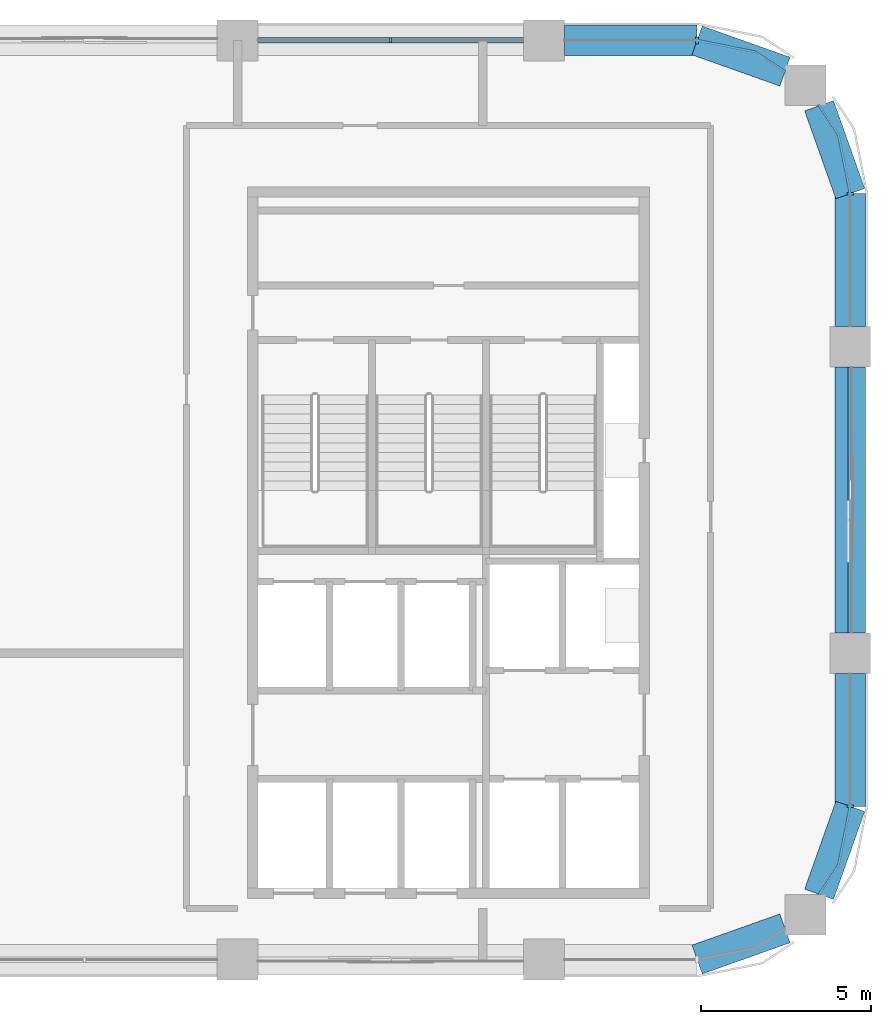
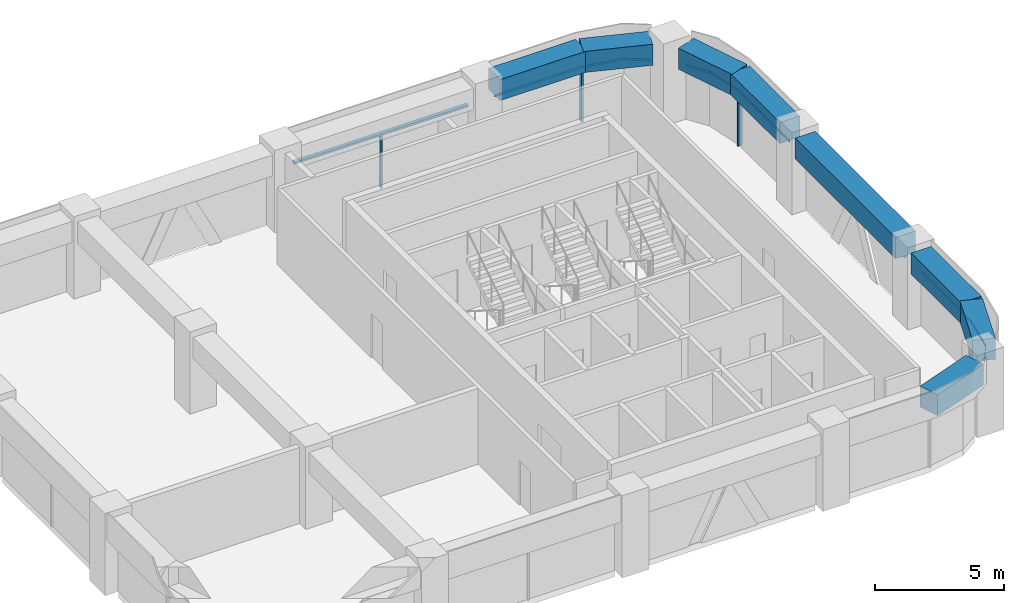
# One storey, part 4 of 9: 9 members, 8 beams, 5 elements without a shape of their own.
"""IFC4 building model written with IfcOpenShell, lengths in metres."""

import ifcopenshell
import ifcopenshell.guid

model = None  # the IFC model being written
_history = None  # IfcOwnerHistory: only IFC2X3 demands one
_inside = {}  # id of a spatial element -> (the spatial element, [elements in it])
_under = {}  # id of a project, library or spatial element -> (it, [spatial elements below it])
_declared = {}  # id of a project -> (the project, [libraries it declares])
_typed = {}  # id of a type object -> (the type object, [elements of that type])
_made_of = {}  # id of a material, layer set ... -> (it, [elements and type objects made of it])


def new_model(schema):
    """Start an empty IFC model of exactly this schema.

    Asked for "IFC4X3", IfcOpenShell would pick the latest addendum, in which some entities
    have other attributes; the version numbers below select the first issue.
    IFC2X3 requires an IfcOwnerHistory on every rooted entity: one is made here for all.
    """
    global model, _history
    if schema == "IFC4X3":
        model = ifcopenshell.file(schema_version=(4, 3, 0, 0))
    else:
        model = ifcopenshell.file(schema=schema)
    _inside.clear()
    _under.clear()
    _declared.clear()
    _typed.clear()
    _made_of.clear()
    _history = None
    if model.schema == "IFC2X3":
        org = make("IfcOrganization", Name="unknown")
        user = make(
            "IfcPersonAndOrganization",
            ThePerson=make("IfcPerson", FamilyName="unknown"),
            TheOrganization=org,
        )
        app = make(
            "IfcApplication",
            ApplicationDeveloper=org,
            Version="unknown",
            ApplicationFullName="unknown",
            ApplicationIdentifier="unknown",
        )
        _history = make(
            "IfcOwnerHistory",
            OwningUser=user,
            OwningApplication=app,
            ChangeAction="ADDED",
            CreationDate=0,
        )
    return model


def make(cls, **values):
    """One entity of the class cls with the attributes given. An attribute that is None is left unset."""
    return model.create_entity(
        cls, **{name: value for name, value in values.items() if value is not None}
    )


def rooted(cls, **values):
    """An entity with a GlobalId (a new one), such as an element, a storey or a relation."""
    return make(cls, GlobalId=ifcopenshell.guid.new(), OwnerHistory=_history, **values)


def si_unit(unit_type, name, prefix=None):
    """IfcSIUnit, for example si_unit("LENGTHUNIT", "METRE", prefix="MILLI")."""
    return make("IfcSIUnit", UnitType=unit_type, Prefix=prefix, Name=name)


def assignment(units):
    """IfcUnitAssignment: the units of a project."""
    return None if units is None else make("IfcUnitAssignment", Units=units)


def point(xyz):
    """IfcCartesianPoint."""
    return None if xyz is None else make("IfcCartesianPoint", Coordinates=xyz)


def direction(xyz):
    """IfcDirection."""
    return None if xyz is None else make("IfcDirection", DirectionRatios=xyz)


def frame(location, z_axis=None, x_axis=None):
    """IfcAxis2Placement3D, a coordinate frame: its origin and axes. An axis left out is left unset."""
    return make(
        "IfcAxis2Placement3D",
        Location=point(location),
        Axis=direction(z_axis),
        RefDirection=direction(x_axis),
    )


def frame_2d(location, x_axis=None):
    """IfcAxis2Placement2D, a coordinate frame in the plane: its origin and x axis."""
    return make(
        "IfcAxis2Placement2D", Location=point(location), RefDirection=direction(x_axis)
    )


def origin():
    """The frame at (0, 0, 0) with its axes left unset."""
    return frame((0.0, 0.0, 0.0))


def origin_2d():
    """The frame at (0, 0) in the plane with its x axis left unset."""
    return frame_2d((0.0, 0.0))


def place(relative_to, where):
    """IfcLocalPlacement: puts the frame where relative to a parent placement (None: the world)."""
    return make(
        "IfcLocalPlacement", PlacementRelTo=relative_to, RelativePlacement=where
    )


def context(
    kind, dimensions, precision=None, world=None, true_north=None, identifier=None
):
    """IfcGeometricRepresentationContext, for example the 3D "Model" context."""
    return make(
        "IfcGeometricRepresentationContext",
        ContextIdentifier=identifier,
        ContextType=kind,
        CoordinateSpaceDimension=dimensions,
        Precision=precision,
        WorldCoordinateSystem=world,
        TrueNorth=true_north,
    )


def subcontext(parent, identifier, kind, view, scale=None):
    """IfcGeometricRepresentationSubContext, for example "Body" below "Model"."""
    return make(
        "IfcGeometricRepresentationSubContext",
        ContextIdentifier=identifier,
        ContextType=kind,
        ParentContext=parent,
        TargetScale=scale,
        TargetView=view,
    )


def project(units=None, contexts=None):
    """IfcProject with its units and contexts."""
    return rooted(
        "IfcProject",
        Name="project",
        RepresentationContexts=contexts,
        UnitsInContext=assignment(units),
    )


def spatial(cls, under=None, at=None, **own):
    """A site, building, storey or space (cls), placed at a placement, below another one or the project."""
    s = rooted(cls, ObjectPlacement=at, **own)
    if under is not None:
        _under.setdefault(under.id(), (under, []))[1].append(s)
    return s


def polyline(points):
    """IfcPolyline through the points."""
    return make("IfcPolyline", Points=[point(p) for p in points])


def profile(cls, at=None, kind="AREA", **sizes):
    """A parametric profile (cls). Its sizes go by their IFC names, for example OverallWidth=200.0."""
    return make(cls, ProfileType=kind, Position=at, **sizes)


def rectangle(**sizes):
    """IfcRectangleProfileDef."""
    return profile("IfcRectangleProfileDef", **sizes)


def outline(outer, holes=None, kind="AREA"):
    """IfcArbitraryClosedProfileDef: a profile drawn as a closed curve; with holes, ...WithVoids."""
    if holes is None:
        return make("IfcArbitraryClosedProfileDef", ProfileType=kind, OuterCurve=outer)
    return make(
        "IfcArbitraryProfileDefWithVoids",
        ProfileType=kind,
        OuterCurve=outer,
        InnerCurves=holes,
    )


def extrude(swept, where, along, depth):
    """IfcExtrudedAreaSolid: the profile swept, set in the frame where, extruded along a direction by depth."""
    return make(
        "IfcExtrudedAreaSolid",
        SweptArea=swept,
        Position=where,
        ExtrudedDirection=direction(along),
        Depth=depth,
    )


def shape(context_of_items, identifier, shape_type, items):
    """IfcShapeRepresentation: the items that make up one representation, for example the "Body"."""
    return make(
        "IfcShapeRepresentation",
        ContextOfItems=context_of_items,
        RepresentationIdentifier=identifier,
        RepresentationType=shape_type,
        Items=items,
    )


def material(Name=None, Category=None):
    """IfcMaterial."""
    return make("IfcMaterial", Name=Name, Category=Category)


def material_profile(
    of_material, cross_section, Name=None, Category=None, Priority=None
):
    """IfcMaterialProfile: a cross section and its material."""
    return make(
        "IfcMaterialProfile",
        Name=Name,
        Material=of_material,
        Profile=cross_section,
        Priority=Priority,
        Category=Category,
    )


def profile_set(profiles, Name=None, composite=None):
    """IfcMaterialProfileSet."""
    return make(
        "IfcMaterialProfileSet",
        Name=Name,
        MaterialProfiles=profiles,
        CompositeProfile=composite,
    )


def made_of(thing, what):
    """Note that an element or type object is made of a material, layer set ...; save() writes the relation."""
    if what is not None:
        _made_of.setdefault(what.id(), (what, []))[1].append(thing)
    return thing


def type_object(cls, material=None, **own):
    """A type object (cls), such as IfcWallType, which elements share."""
    return made_of(rooted(cls, **own), material)


def element(
    cls,
    number,
    at=None,
    inside=None,
    cuts=None,
    type_object=None,
    material=None,
    context=None,
    identifier="Body",
    shape_type=None,
    held_by="IfcProductDefinitionShape",
    body=None,
    shapes=None,
    **own,
):
    """One element of the class cls, such as IfcWall. Its Tag is "e" and its number.

    at: its placement. inside: the storey or other place that contains it. cuts: it is an
    opening in that element (IfcRelVoidsElement). A single representation is given by context,
    identifier, shape_type and body (its items); several are given by shapes. held_by: the class
    of the entity that holds the representations. save() writes the other relations.
    """
    e = rooted(cls, Tag="e%d" % number, ObjectPlacement=at, **own)
    if body is not None:
        shapes = [shape(context, identifier, shape_type, body)]
    if shapes is not None:
        e.Representation = make(held_by, Representations=shapes)
    if inside is not None:
        _inside.setdefault(inside.id(), (inside, []))[1].append(e)
    if cuts is not None:
        rooted(
            "IfcRelVoidsElement", RelatingBuildingElement=cuts, RelatedOpeningElement=e
        )
    if type_object is not None:
        _typed.setdefault(type_object.id(), (type_object, []))[1].append(e)
    return made_of(e, material)


def aggregate(whole, parts):
    """IfcRelAggregates: a whole, such as a stair, and the parts it consists of."""
    return rooted("IfcRelAggregates", RelatingObject=whole, RelatedObjects=parts)


def save(model, path):
    """Write the relations noted so far, then the file.

    IfcRelAggregates (storeys below a building ...), IfcRelContainedInSpatialStructure (elements
    in a storey), IfcRelDefinesByType, IfcRelAssociatesMaterial and IfcRelDeclares: one each for
    every whole, place, type object, material and project.
    """
    for whole, parts in _under.values():
        aggregate(whole, parts)
    for where, things in _inside.values():
        rooted(
            "IfcRelContainedInSpatialStructure",
            RelatedElements=things,
            RelatingStructure=where,
        )
    for kind, things in _typed.values():
        rooted("IfcRelDefinesByType", RelatedObjects=things, RelatingType=kind)
    for what, things in _made_of.values():
        rooted("IfcRelAssociatesMaterial", RelatedObjects=things, RelatingMaterial=what)
    for by, libraries in _declared.values():
        rooted("IfcRelDeclares", RelatingContext=by, RelatedDefinitions=libraries)
    model.write(path)


model = new_model("IFC4")

# Units and contexts
model_context = context("Model", 3, precision=1e-05, world=origin(), true_north=direction((0.0, 1.0)))
body_context = subcontext(model_context, "Body", "Model", "MODEL_VIEW")
ifc_project = project(units=[si_unit("LENGTHUNIT", "METRE"), si_unit("AREAUNIT", "SQUARE_METRE"), si_unit("VOLUMEUNIT", "CUBIC_METRE"), si_unit("PLANEANGLEUNIT", "RADIAN"), si_unit("MASSUNIT", "GRAM", prefix="KILO")], contexts=[model_context])

# Site, building, storey
site_placement = place(None, origin())
site = spatial("IfcSite", under=ifc_project, at=site_placement, CompositionType="ELEMENT")
building_placement = place(site_placement, origin())
building = spatial("IfcBuilding", under=site, at=building_placement, Name="Tessera Arch", CompositionType="ELEMENT")
storey_placement = place(building_placement, frame((0.0, 0.0, 305.10009765625)))
storey = spatial("IfcBuildingStorey", under=building, at=storey_placement, Name="L73", CompositionType="ELEMENT", Elevation=305.10009765625)

# Curtain wall, members
ifc_material_1 = material(Name="CW1 curtain wall")
curtain_wall_type_1 = type_object("IfcCurtainWallType", Name="CW1 curtain wall", PredefinedType="NOTDEFINED", material=ifc_material_1)
curtain_wall_1_placement = place(storey_placement, origin())
curtain_wall_1 = element("IfcCurtainWall", 1, at=curtain_wall_1_placement, inside=storey, type_object=curtain_wall_type_1, Name="CW1 curtain wall N54.18/1 L73", PredefinedType="NOTDEFINED")
ifc_material_2 = material(Name="Anodised aluminium pale metal", Category="aluminium")
ifc_material_profile_1 = material_profile(ifc_material_2, rectangle(XDim=0.159912109375, YDim=0.06005859375, at=origin_2d()), Name="AL 60x160")
ifc_profile_set_1 = profile_set([ifc_material_profile_1], Name="Anodised aluminium pale metal")
member_type_1 = type_object("IfcMemberType", Name="CW1 mullion", PredefinedType="MULLION", material=ifc_profile_set_1)
member_1_placement = place(storey_placement, frame((40.5, 54.0, 0.0), z_axis=(0.0, 0.0, 1.0), x_axis=(0.0, -1.0, 0.0)))
member_1 = element("IfcMember", 2, at=member_1_placement, type_object=member_type_1, Name="CW1 mullion N54.18/1 1", PredefinedType="MULLION", context=body_context, shape_type="SweptSolid", body=[
    extrude(rectangle(XDim=0.159912109375, YDim=0.06005859375, at=origin_2d()), origin(), (0.0, 0.0, 1.0), 2.5),
])
ifc_material_3 = material(Name="Anodised aluminium pale metal", Category="aluminium")
ifc_material_profile_2 = material_profile(ifc_material_3, rectangle(XDim=0.159912109375, YDim=0.10009765625, at=origin_2d()), Name="AL 160x100")
ifc_profile_set_2 = profile_set([ifc_material_profile_2], Name="Anodised aluminium pale metal")
member_type_2 = type_object("IfcMemberType", Name="CW1 transom", PredefinedType="USERDEFINED", material=ifc_profile_set_2)
member_2_placement = place(storey_placement, frame((44.39990234375, 54.0, 2.5498046875), z_axis=(-1.0, 0.0, 0.0), x_axis=(0.0, -1.0, 0.0)))
member_2 = element("IfcMember", 3, at=member_2_placement, type_object=member_type_2, Name="CW1 transom N54.18/1 1.1", ObjectType="TRANSOM", PredefinedType="USERDEFINED", context=body_context, shape_type="SweptSolid", body=[
    extrude(rectangle(XDim=0.159912109375, YDim=0.10009765625, at=origin_2d()), origin(), (0.0, 0.0, 1.0), 7.7998046875),
])
aggregate(curtain_wall_1, [member_1, member_2])

# Curtain wall, member
ifc_material_4 = material(Name="CW2 curtain wall")
curtain_wall_type_2 = type_object("IfcCurtainWallType", Name="CW2 curtain wall", PredefinedType="NOTDEFINED", material=ifc_material_4)
curtain_wall_2_placement = place(storey_placement, origin())
curtain_wall_2 = element("IfcCurtainWall", 4, at=curtain_wall_2_placement, inside=storey, type_object=curtain_wall_type_2, Name="CW2 curtain wall E54.27/1 L73", PredefinedType="NOTDEFINED")
ifc_material_5 = material(Name="Anodised aluminium pale metal", Category="aluminium")
ifc_material_profile_3 = material_profile(ifc_material_5, rectangle(XDim=0.199951171875, YDim=0.080078125, at=origin_2d()), Name="AL 80x200")
ifc_profile_set_3 = profile_set([ifc_material_profile_3], Name="Anodised aluminium pale metal")
member_type_3 = type_object("IfcMemberType", Name="CW2 mullion", PredefinedType="MULLION", material=ifc_profile_set_3)
member_3_placement = place(storey_placement, frame((54.0, 49.5, 0.0), z_axis=(0.0, 0.0, 1.0), x_axis=(-1.0, 0.0, 0.0)))
member_3 = element("IfcMember", 5, at=member_3_placement, type_object=member_type_3, Name="CW2 mullion E54.27/1 1", PredefinedType="MULLION", context=body_context, shape_type="SweptSolid", body=[
    extrude(rectangle(XDim=0.199951171875, YDim=0.080078125, at=origin_2d()), origin(), (0.0, 0.0, 1.0), 2.5),
])

curtain_wall_3_placement = place(storey_placement, origin())
curtain_wall_3 = element("IfcCurtainWall", 6, at=curtain_wall_3_placement, inside=storey, type_object=curtain_wall_type_2, Name="CW2 curtain wall N54.18/0 L73", PredefinedType="NOTDEFINED")
member_4_placement = place(storey_placement, frame((49.5, 54.0, 0.0), z_axis=(0.0, 0.0, 1.0), x_axis=(0.0, -1.0, 0.0)))
member_4 = element("IfcMember", 7, at=member_4_placement, type_object=member_type_3, Name="CW2 mullion N54.18/0 1", PredefinedType="MULLION", context=body_context, shape_type="SweptSolid", body=[
    extrude(rectangle(XDim=0.199951171875, YDim=0.080078125, at=origin_2d()), origin(), (0.0, 0.0, 1.0), 2.5),
])

curtain_wall_4_placement = place(storey_placement, origin())
curtain_wall_4 = element("IfcCurtainWall", 8, at=curtain_wall_4_placement, inside=storey, type_object=curtain_wall_type_2, Name="CW2 curtain wall E54.27/2 L73", PredefinedType="NOTDEFINED")
member_5_placement = place(storey_placement, frame((54.0, 31.5, 0.0), z_axis=(0.0, 0.0, 1.0), x_axis=(-1.0, 0.0, 0.0)))
member_5 = element("IfcMember", 9, at=member_5_placement, type_object=member_type_3, Name="CW2 mullion E54.27/2 1", PredefinedType="MULLION", context=body_context, shape_type="SweptSolid", body=[
    extrude(rectangle(XDim=0.199951171875, YDim=0.080078125, at=origin_2d()), origin(), (0.0, 0.0, 1.0), 2.5),
])

# Member
ifc_material_6 = material(Name="Anodised aluminium pale metal", Category="aluminium")
ifc_material_profile_4 = material_profile(ifc_material_6, rectangle(XDim=0.199951171875, YDim=0.10009765625, at=origin_2d()), Name="AL 200x100")
ifc_profile_set_4 = profile_set([ifc_material_profile_4], Name="Anodised aluminium pale metal")
member_type_4 = type_object("IfcMemberType", Name="CW2 transom", PredefinedType="USERDEFINED", material=ifc_profile_set_4)
member_6_placement = place(storey_placement, frame((0.0, 0.0, 2.5)))
member_6 = element("IfcMember", 10, at=member_6_placement, type_object=member_type_4, Name="CW2 transom E54.27/1 1", ObjectType="TRANSOM", PredefinedType="USERDEFINED", context=body_context, shape_type="SweptSolid", body=[
    extrude(outline(polyline([(53.989990234375, 49.4990234375), (53.989990234375, 45.60009765625), (54.010009765625, 45.60009765625), (54.010009765625, 49.5009765625), (53.6669921875, 51.22607421875), (53.09130859375, 52.087646484375), (53.07470703125, 52.076416015625), (53.648193359375, 51.21826171875), (53.989990234375, 49.4990234375)])), origin(), (0.0, 0.0, 1.0), 0.099853515625),
])

aggregate(curtain_wall_2, [member_3, member_6])

member_7_placement = place(storey_placement, frame((0.0, 0.0, 2.5)))
member_7 = element("IfcMember", 11, at=member_7_placement, type_object=member_type_4, Name="CW2 transom N54.18/0 1", ObjectType="TRANSOM", PredefinedType="USERDEFINED", context=body_context, shape_type="SweptSolid", body=[
    extrude(outline(polyline([(51.21826171875, 53.648193359375), (52.076416015625, 53.07470703125), (52.087646484375, 53.09130859375), (51.22607421875, 53.6669921875), (49.5009765625, 54.010009765625), (45.60009765625, 54.010009765625), (45.60009765625, 53.989990234375), (49.4990234375, 53.989990234375), (51.21826171875, 53.648193359375)])), origin(), (0.0, 0.0, 1.0), 0.099853515625),
])

aggregate(curtain_wall_3, [member_4, member_7])

member_8_placement = place(storey_placement, frame((0.0, 0.0, 2.5)))
member_8 = element("IfcMember", 12, at=member_8_placement, type_object=member_type_4, Name="CW2 transom E54.27/2 1", ObjectType="TRANSOM", PredefinedType="USERDEFINED", context=body_context, shape_type="SweptSolid", body=[
    extrude(outline(polyline([(53.648193359375, 29.78173828125), (53.07470703125, 28.923583984375), (53.09130859375, 28.912353515625), (53.6669921875, 29.77392578125), (54.010009765625, 31.4990234375), (54.010009765625, 35.39990234375), (53.989990234375, 35.39990234375), (53.989990234375, 31.5009765625), (53.648193359375, 29.78173828125)])), origin(), (0.0, 0.0, 1.0), 0.099853515625),
])

aggregate(curtain_wall_4, [member_5, member_8])

# Curtain wall, member
ifc_material_7 = material(Name="CW3 curtain wall")
curtain_wall_type_3 = type_object("IfcCurtainWallType", Name="CW3 curtain wall", PredefinedType="NOTDEFINED", material=ifc_material_7)
curtain_wall_5_placement = place(storey_placement, origin())
curtain_wall_5 = element("IfcCurtainWall", 13, at=curtain_wall_5_placement, inside=storey, type_object=curtain_wall_type_3, Name="CW3 curtain wall E54.27/0 L73", PredefinedType="NOTDEFINED")
ifc_material_8 = material(Name="Anodised aluminium pale metal", Category="aluminium")
ifc_material_profile_5 = material_profile(ifc_material_8, rectangle(XDim=0.139892578125, YDim=0.10009765625, at=origin_2d()), Name="AL 140x100")
ifc_profile_set_5 = profile_set([ifc_material_profile_5], Name="Anodised aluminium pale metal")
member_type_5 = type_object("IfcMemberType", Name="CW3 transom", PredefinedType="USERDEFINED", material=ifc_profile_set_5)
member_9_placement = place(storey_placement, frame((54.0, 36.60009765625, 2.5498046875), z_axis=(0.0, 1.0, 0.0), x_axis=(-1.0, 0.0, 0.0)))
member_9 = element("IfcMember", 14, at=member_9_placement, type_object=member_type_5, Name="CW3 transom E54.27/0 1.1", ObjectType="TRANSOM", PredefinedType="USERDEFINED", context=body_context, shape_type="SweptSolid", body=[
    extrude(rectangle(XDim=0.139892578125, YDim=0.10009765625, at=origin_2d()), origin(), (0.0, 0.0, 1.0), 7.7998046875),
])
aggregate(curtain_wall_5, [member_9])

# Beams
ifc_material_9 = material(Name="Concrete C60/75", Category="concrete")
ifc_material_profile_6 = material_profile(ifc_material_9, rectangle(XDim=0.89990234375, YDim=1.0, at=origin_2d()), Name="RC spandrel beam 900 x 1000 Concrete C60/75")
ifc_profile_set_6 = profile_set([ifc_material_profile_6], Name="Concrete C60/75")
beam_type = type_object("IfcBeamType", Name="RC spandrel beam 900 x 1000 Concrete C60/75", PredefinedType="BEAM", material=ifc_profile_set_6)
beam_1_placement = place(storey_placement, frame((54.0, 36.60009765625, 3.099853515625), z_axis=(0.0, 1.0, 0.0), x_axis=(-1.0, 0.0, 0.0)))
element("IfcBeam", 15, at=beam_1_placement, inside=storey, type_object=beam_type, Name="Spandrel beam L73 E54.27/0", PredefinedType="BEAM", context=body_context, shape_type="SweptSolid", body=[
    extrude(rectangle(XDim=0.89990234375, YDim=1.0, at=origin_2d()), origin(), (0.0, 0.0, 1.0), 7.7998046875),
])
beam_2_placement = place(storey_placement, frame((54.0, 45.60009765625, 3.099853515625), z_axis=(0.0, 1.0, 0.0), x_axis=(-1.0, 0.0, 0.0)))
element("IfcBeam", 16, at=beam_2_placement, inside=storey, type_object=beam_type, Name="Spandrel beam L73 E54.27/1.1", PredefinedType="BEAM", context=body_context, shape_type="SweptSolid", body=[
    extrude(rectangle(XDim=0.89990234375, YDim=1.0, at=origin_2d()), origin(), (0.0, 0.0, 1.0), 3.89990234375),
])
for number, where, z_axis, x_axis, name in (
    (17, (54.0, 49.5, 3.099853515625), (-0.334665114373, 0.942337127159, 0.0), (-0.942337127159, -0.334665114373, 0.0), "Spandrel beam L73 E54.27/1.2"),
    (18, (52.08203125, 53.0830078125, 3.099853515625), (-0.942337127159, 0.334665114373, 0.0), (-0.334665114373, -0.942337127159, 0.0), "Spandrel beam L73 N54.18/0.1"),
):
    element("IfcBeam", number, at=place(storey_placement, frame(where, z_axis=z_axis, x_axis=x_axis)), inside=storey, type_object=beam_type, Name=name, PredefinedType="BEAM", context=body_context, shape_type="SweptSolid", body=[
        extrude(rectangle(XDim=0.89990234375, YDim=1.0, at=origin_2d()), origin(), (0.0, 0.0, 1.0), 2.739990234375),
    ])
beam_3_placement = place(storey_placement, frame((49.5, 54.0, 3.099853515625), z_axis=(-1.0, 0.0, 0.0), x_axis=(0.0, -1.0, 0.0)))
element("IfcBeam", 19, at=beam_3_placement, inside=storey, type_object=beam_type, Name="Spandrel beam L73 N54.18/0.2", PredefinedType="BEAM", context=body_context, shape_type="SweptSolid", body=[
    extrude(rectangle(XDim=0.89990234375, YDim=1.0, at=origin_2d()), origin(), (0.0, 0.0, 1.0), 3.89990234375),
])
for number, where, z_axis, x_axis, name in (
    (20, (49.5, 27.0, 3.099853515625), (0.942337127159, 0.334665114373, 0.0), (-0.334665114373, 0.942337127159, 0.0), "Spandrel beam L73 S27.18/3.2"),
    (21, (53.0830078125, 28.91796875, 3.099853515625), (0.334665114373, 0.942337127159, 0.0), (-0.942337127159, 0.334665114373, 0.0), "Spandrel beam L73 E54.27/2.1"),
):
    element("IfcBeam", number, at=place(storey_placement, frame(where, z_axis=z_axis, x_axis=x_axis)), inside=storey, type_object=beam_type, Name=name, PredefinedType="BEAM", context=body_context, shape_type="SweptSolid", body=[
        extrude(rectangle(XDim=0.89990234375, YDim=1.0, at=origin_2d()), origin(), (0.0, 0.0, 1.0), 2.739990234375),
    ])
beam_4_placement = place(storey_placement, frame((54.0, 31.5, 3.099853515625), z_axis=(0.0, 1.0, 0.0), x_axis=(-1.0, 0.0, 0.0)))
element("IfcBeam", 22, at=beam_4_placement, inside=storey, type_object=beam_type, Name="Spandrel beam L73 E54.27/2.2", PredefinedType="BEAM", context=body_context, shape_type="SweptSolid", body=[
    extrude(rectangle(XDim=0.89990234375, YDim=1.0, at=origin_2d()), origin(), (0.0, 0.0, 1.0), 3.89990234375),
])

save(model, "model.ifc")
